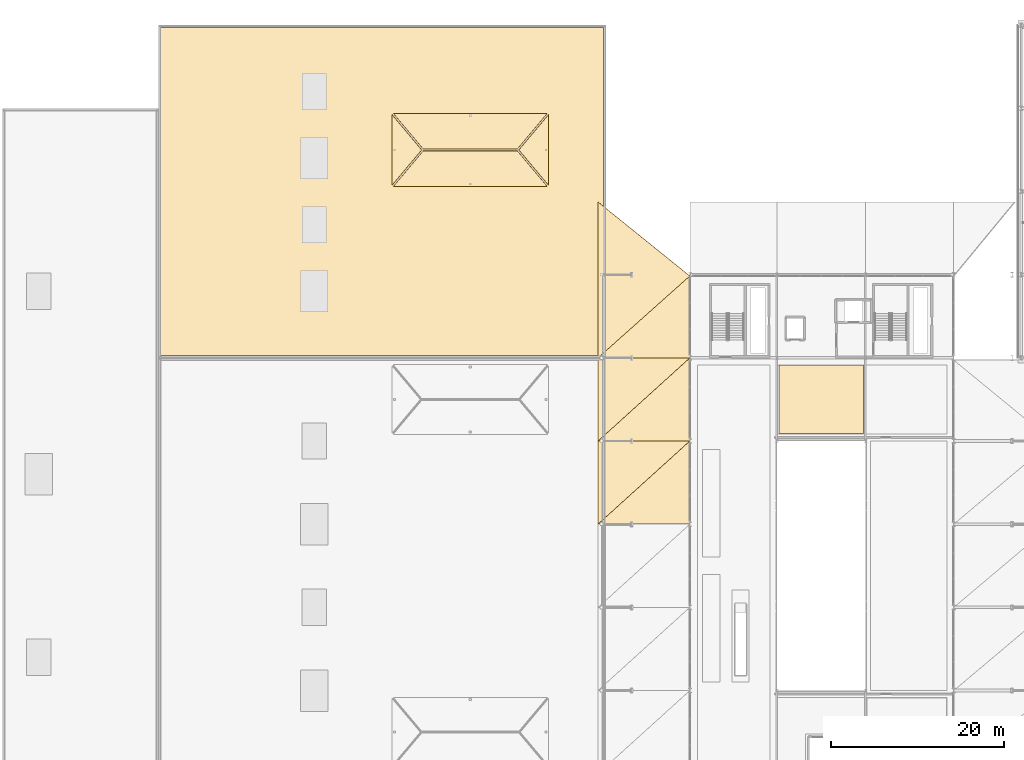
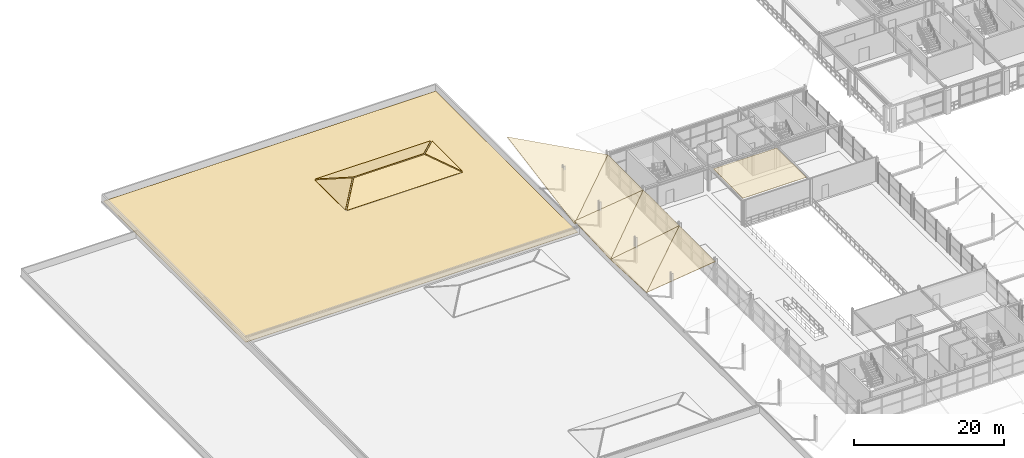
# One storey, part 70 of 81: 12 coverings.
"""IFC4 building model written with IfcOpenShell, lengths in metres."""

from ifc_helpers import new_model, si_unit, direction, frame, origin, place, context, subcontext, project, spatial, polyline, outline, extrude, material, layer, layer_set, type_object, element, save


model = new_model("IFC4")

# Units and contexts
model_context = context("Model", 3, precision=1e-05, world=origin(), true_north=direction((0.0, 1.0)))
body_context = subcontext(model_context, "Body", "Model", "MODEL_VIEW")
ifc_project = project(units=[si_unit("LENGTHUNIT", "METRE"), si_unit("AREAUNIT", "SQUARE_METRE"), si_unit("VOLUMEUNIT", "CUBIC_METRE"), si_unit("PLANEANGLEUNIT", "RADIAN"), si_unit("MASSUNIT", "GRAM", prefix="KILO")], contexts=[model_context])

# Site, building, storey
site_placement = place(None, origin())
site = spatial("IfcSite", under=ifc_project, at=site_placement, CompositionType="ELEMENT")
building_placement = place(site_placement, origin())
building = spatial("IfcBuilding", under=site, at=building_placement, Name="Myrtia Square Station", CompositionType="ELEMENT")
storey_placement = place(building_placement, frame((0.0, 0.0, 10.800048828125)))
storey = spatial("IfcBuildingStorey", under=building, at=storey_placement, Name="L02", CompositionType="ELEMENT", Elevation=10.800048828125)

# Coverings
ifc_material_1 = material(Name="Acoustic European oak timber", Category="wood")
ifc_layer_1 = layer(ifc_material_1, 0.044921875, Name="Acoustic European oak timber")
ifc_layer_set_1 = layer_set([ifc_layer_1], Name="Acoustic European oak timber")
covering_type_1 = type_object("IfcCoveringType", Name="COV-CEIL-OAK", PredefinedType="CEILING", material=ifc_layer_set_1)
covering_1_placement = place(storey_placement, frame((0.0, 0.0, 3.9150390625)))
element("IfcCovering", 1, at=covering_1_placement, inside=storey, type_object=covering_type_1, Name="Acoustic coffer ceiling L02-02", PredefinedType="CEILING", context=body_context, shape_type="SweptSolid", body=[
    extrude(outline(polyline([(99.3798828125, 85.550048828125), (99.3798828125, 77.64990234375), (89.6201171875, 77.64990234375), (89.6201171875, 85.550048828125), (99.3798828125, 85.550048828125)])), origin(), (0.0, 0.0, 1.0), 0.044921875),
])
ifc_material_2 = material(Name="Waterproof elastomeric membrane")
ifc_layer_2 = layer(ifc_material_2, 0.044921875, Name="Waterproof elastomeric membrane")
ifc_layer_set_2 = layer_set([ifc_layer_2], Name="Waterproof elastomeric membrane")
covering_type_2 = type_object("IfcCoveringType", Name="COV-MEMB-FLAT", PredefinedType="ROOFING", material=ifc_layer_set_2)
covering_2_placement = place(storey_placement, origin())
element("IfcCovering", 2, at=covering_2_placement, inside=storey, type_object=covering_type_2, Name="Flat roof waterproof membrane ROOF-L02-V1N", PredefinedType="ROOFING", context=body_context, shape_type="SweptSolid", body=[
    extrude(outline(polyline([(18.25, 86.64990234375), (69.39990234375, 86.64990234375), (69.39990234375, 124.550048828125), (18.25, 124.550048828125), (18.25, 86.64990234375)])), origin(), (0.0, 0.0, 1.0), 0.044921875),
])
ifc_material_3 = material(Name="Terracotta clay barrel tiles", Category="masonry")
ifc_layer_3 = layer(ifc_material_3, 0.06494140625, Name="Terracotta clay barrel tiles")
ifc_layer_set_3 = layer_set([ifc_layer_3], Name="Terracotta clay barrel tiles")
covering_type_3 = type_object("IfcCoveringType", Name="COV-TILE-TERRACOTTA", PredefinedType="ROOFING", material=ifc_layer_set_3)
covering_3_placement = place(storey_placement, frame((68.74169921875, 67.199951171875, 2.264404296875), z_axis=(-0.126345846916, 0.0, 0.991986253416), x_axis=(0.991986253416, 0.0, 0.126345846916)))
element("IfcCovering", 3, at=covering_3_placement, inside=storey, type_object=covering_type_3, Name="Terracotta clay barrel-tile roofing 071", PredefinedType="ROOFING", context=body_context, shape_type="SweptSolid", body=[
    extrude(outline(polyline([(0.0, 0.0), (10.685730391669466, 0.0), (10.685730391669466, 9.60009765625), (0.0, 0.0)])), origin(), (0.0, 0.0, -1.0), 0.06494140625),
])
covering_4_placement = place(storey_placement, frame((68.739013671875, 67.202880859375, 2.263916015625), z_axis=(-0.167239167599, 0.046158672903, 0.984835233801), x_axis=(0.737923078254, 0.668308334863, 0.093986701892)))
element("IfcCovering", 4, at=covering_4_placement, inside=storey, type_object=covering_type_3, Name="Terracotta clay barrel-tile roofing 072", PredefinedType="ROOFING", context=body_context, shape_type="SweptSolid", body=[
    extrude(outline(polyline([(0.0, 0.0), (14.36477319740849, 1.3877787807814457e-16), (6.373535852517218, 7.193217069106568), (0.0, 0.0)])), origin(), (0.0, 0.0, -1.0), 0.06494140625),
])
covering_5_placement = place(storey_placement, frame((68.739013671875, 76.800048828125, 1.81396484375), z_axis=(-0.167417614618, 0.0, 0.985886069643), x_axis=(0.985886069643, 0.0, 0.167417614618)))
element("IfcCovering", 5, at=covering_5_placement, inside=storey, type_object=covering_type_3, Name="Terracotta clay barrel-tile roofing 073", PredefinedType="ROOFING", context=body_context, shape_type="SweptSolid", body=[
    extrude(outline(polyline([(0.0, 0.0), (10.751848497150197, 0.0), (10.751848497150197, 9.599853515625), (0.0, 0.0)])), origin(), (0.0, 0.0, -1.0), 0.06494140625),
])
covering_6_placement = place(storey_placement, frame((68.74169921875, 76.797119140625, 1.814453125), z_axis=(-0.126187042291, -0.046444978529, 0.990918611354), x_axis=(0.73541148596, 0.666016745116, 0.124866494875)))
element("IfcCovering", 6, at=covering_6_placement, inside=storey, type_object=covering_type_3, Name="Terracotta clay barrel-tile roofing 074", PredefinedType="ROOFING", context=body_context, shape_type="SweptSolid", body=[
    extrude(outline(polyline([(0.0, 0.0), (14.413832063564547, -6.938893903907228e-17), (6.449847017764799, 7.124543285429593), (0.0, 0.0)])), origin(), (0.0, 0.0, -1.0), 0.06494140625),
])
covering_7_placement = place(storey_placement, frame((68.74951171875, 104.388427734375, 5.054931640625), z_axis=(-0.009149781989, -0.177196782255, 0.98413290863), x_axis=(0.0, -0.984174106287, -0.177204200046)))
element("IfcCovering", 7, at=covering_7_placement, inside=storey, type_object=covering_type_3, Name="Terracotta clay barrel-tile roofing 075", PredefinedType="ROOFING", context=body_context, shape_type="SweptSolid", body=[
    extrude(outline(polyline([(0.0, 0.0), (18.289446841784095, -3.469446951953614e-18), (8.670073380115475, 10.600297245460103), (0.0, 0.0)])), origin(), (0.0, 0.0, -1.0), 0.06494140625),
])
covering_8_placement = place(storey_placement, frame((68.739013671875, 86.39990234375, 1.81396484375), z_axis=(-0.167417614618, 0.0, 0.985886069643), x_axis=(0.985886069643, 0.0, 0.167417614618)))
element("IfcCovering", 8, at=covering_8_placement, inside=storey, type_object=covering_type_3, Name="Terracotta clay barrel-tile roofing 076", PredefinedType="ROOFING", context=body_context, shape_type="SweptSolid", body=[
    extrude(outline(polyline([(0.0, 0.0), (10.751848497150197, 0.0), (10.751848497150197, 9.4501953125), (0.0, 0.0)])), origin(), (0.0, 0.0, -1.0), 0.06494140625),
])
for number, where, z_axis, x_axis, name in (
    (9, (45.111083984375, 106.17626953125, 0.25244140625), (0.0, -0.365240517118, 0.930913188571), (1.0, 0.0, 0.0), "Terracotta clay barrel-tile roofing 131"),
    (10, (62.888916015625, 114.623779296875, 0.25244140625), (0.0, 0.365240517118, 0.930913188571), (-1.0, 0.0, 0.0), "Terracotta clay barrel-tile roofing 132"),
):
    element("IfcCovering", number, at=place(storey_placement, frame(where, z_axis=z_axis, x_axis=x_axis)), inside=storey, type_object=covering_type_3, Name=name, PredefinedType="ROOFING", context=body_context, shape_type="SweptSolid", body=[
        extrude(outline(polyline([(0.0, 0.0), (17.77783203125, 0.0), (14.3212890625, 4.420380208267843), (3.45654296875, 4.420380208267843), (0.0, 0.0)])), origin(), (0.0, 0.0, -1.0), 0.06494140625),
    ])
covering_9_placement = place(storey_placement, frame((44.972412109375, 114.4677734375, 0.250732421875), z_axis=(-0.423232731331, 0.0, 0.906021001484), x_axis=(0.0, -1.0, 0.0)))
element("IfcCovering", 11, at=covering_9_placement, inside=storey, type_object=covering_type_3, Name="Terracotta clay barrel-tile roofing 133", PredefinedType="ROOFING", context=body_context, shape_type="SweptSolid", body=[
    extrude(outline(polyline([(0.0, 0.0), (8.135498046875, 0.0), (4.06787109375, 3.7714271323760697), (0.0, 0.0)])), origin(), (0.0, 0.0, -1.0), 0.06494140625),
])
covering_10_placement = place(storey_placement, frame((63.027587890625, 106.332275390625, 0.250732421875), z_axis=(0.423232731331, 0.0, 0.906021001484), x_axis=(0.0, 1.0, 0.0)))
element("IfcCovering", 12, at=covering_10_placement, inside=storey, type_object=covering_type_3, Name="Terracotta clay barrel-tile roofing 134", PredefinedType="ROOFING", context=body_context, shape_type="SweptSolid", body=[
    extrude(outline(polyline([(0.0, 0.0), (8.135498046875, 0.0), (4.067626953125, 3.7714271323760697), (0.0, 0.0)])), origin(), (0.0, 0.0, -1.0), 0.06494140625),
])

save(model, "model.ifc")
